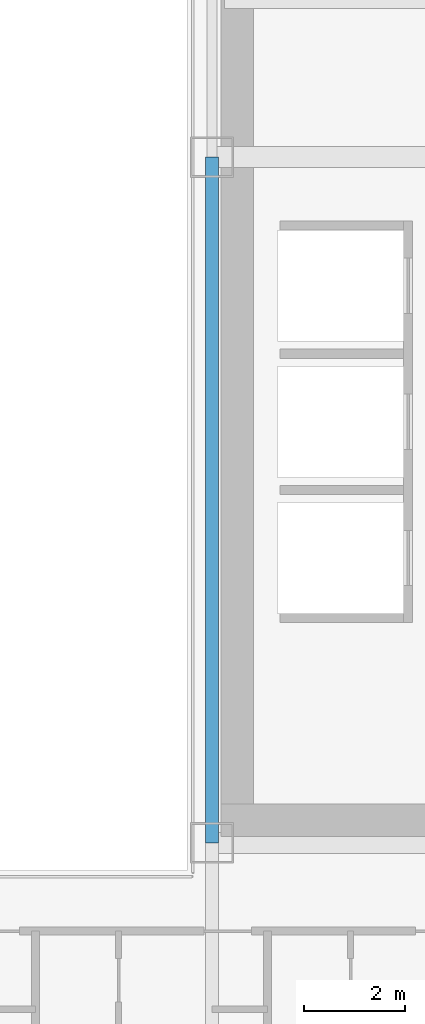
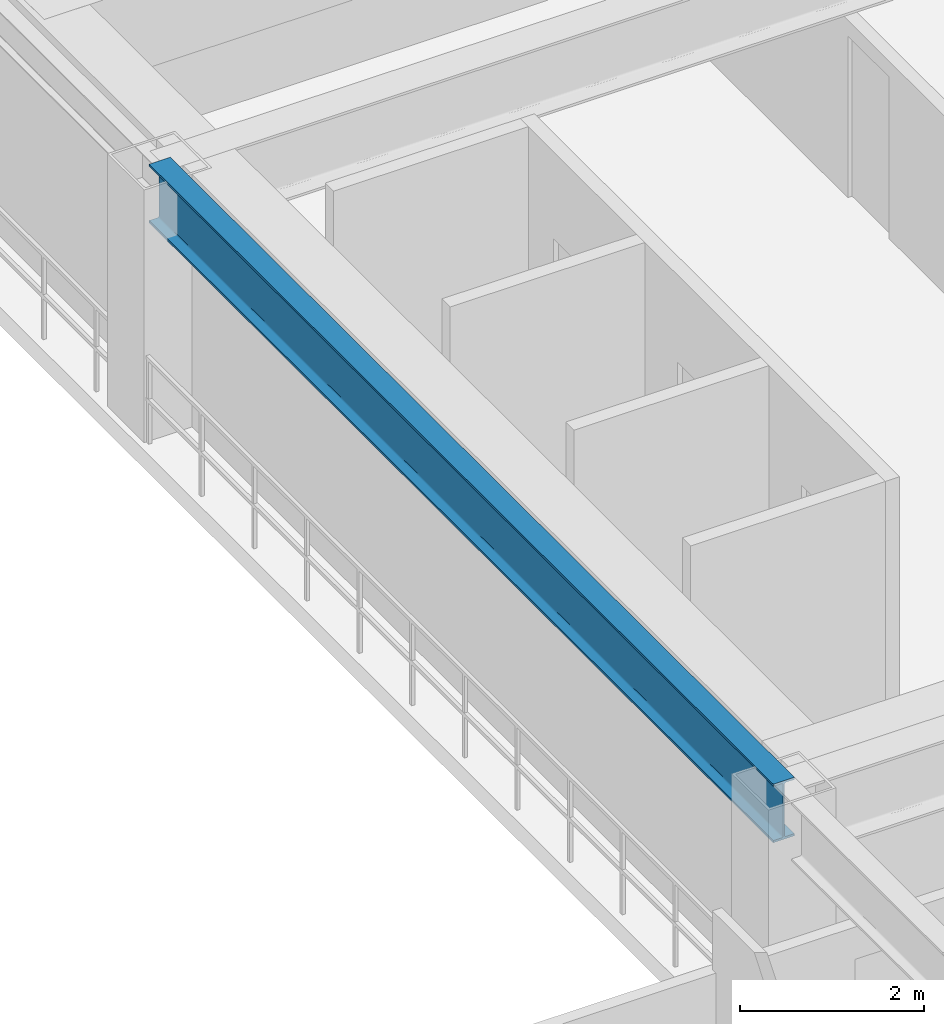
# One storey, part 12 of 35: 1 beam.
"""IFC4 building model written with IfcOpenShell, lengths in metres."""

from ifc_helpers import new_model, si_unit, direction, frame, origin, origin_2d, place, context, subcontext, project, spatial, i_section, extrude, source, transform, mapped, material, material_profile, profile_set, type_object, element, save


model = new_model("IFC4")

# Units and contexts
model_context = context("Model", 3, precision=1e-05, world=origin(), true_north=direction((0.0, 1.0)))
body_context = subcontext(model_context, "Body", "Model", "MODEL_VIEW")
ifc_project = project(units=[si_unit("LENGTHUNIT", "METRE"), si_unit("AREAUNIT", "SQUARE_METRE"), si_unit("VOLUMEUNIT", "CUBIC_METRE"), si_unit("PLANEANGLEUNIT", "RADIAN"), si_unit("MASSUNIT", "GRAM", prefix="KILO")], contexts=[model_context])

# Site, building, storey
site_placement = place(None, origin())
site = spatial("IfcSite", under=ifc_project, at=site_placement, CompositionType="ELEMENT")
building_placement = place(site_placement, origin())
building = spatial("IfcBuilding", under=site, at=building_placement, Name="Ocotamira Hotel", CompositionType="ELEMENT")
storey_placement = place(building_placement, frame((0.0, 0.0, 100.800048828125)))
storey = spatial("IfcBuildingStorey", under=building, at=storey_placement, Name="L24", CompositionType="ELEMENT", Elevation=100.800048828125)

# Beam
ifc_material = material(Name="Steel ASTM A992 Grade 50", Category="steel")
ifc_material_profile = material_profile(ifc_material, i_section(OverallWidth=0.26611328125, OverallDepth=0.779052734375, WebThickness=0.0166015625, FlangeThickness=0.030029296875, FilletRadius=0.01806640625, at=origin_2d()), Name="W30X148")
ifc_profile_set = profile_set([ifc_material_profile], Name="Steel ASTM A992 Grade 50")
beam_type = type_object("IfcBeamType", Name="BM-GIRD-W30X148", PredefinedType="BEAM", material=ifc_profile_set)
shared_shape = source(origin(), body_context, "Body", "SweptSolid", [
    extrude(i_section(OverallWidth=0.26611328125, OverallDepth=0.779052734375, WebThickness=0.0166015625, FlangeThickness=0.030029296875, FilletRadius=0.01806640625, at=origin_2d()), origin(), (0.0, 0.0, 1.0), 13.599853515625),
])
beam_placement = place(storey_placement, frame((40.5, 14.550048828125, 2.970458984375), z_axis=(0.0, 1.0, 0.0), x_axis=(-1.0, 0.0, 0.0)))
element("IfcBeam", 1, at=beam_placement, inside=storey, type_object=beam_type, Name="L24 Beam X40.5 Y14.55-28.15", PredefinedType="BEAM", context=body_context, shape_type="MappedRepresentation", body=[
    mapped(shared_shape, transform((0.0, 0.0, 0.0), scale=1.0)),
])

save(model, "model.ifc")
